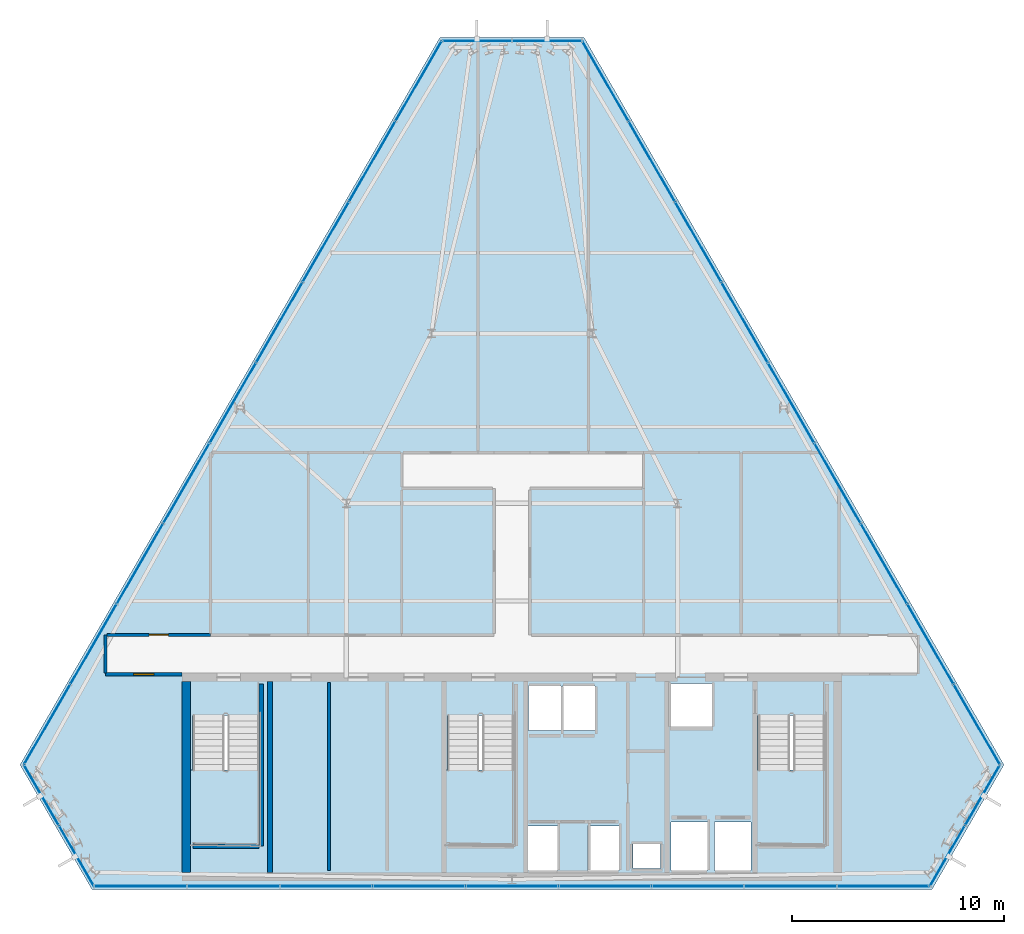
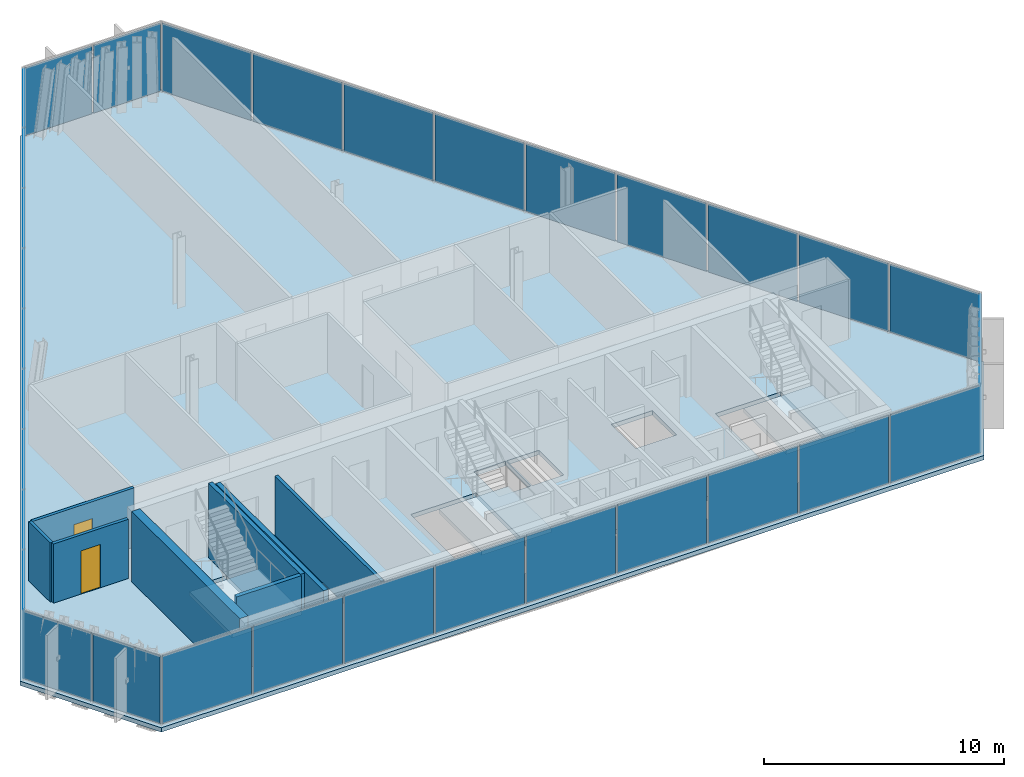
# One storey, part 23 of 29: 33 plates, 8 walls, 4 slabs, 2 doors, 2 openings, 9 elements without a shape of their own.
"""IFC4 building model written with IfcOpenShell, lengths in metres."""

from ifc_helpers import new_model, si_unit, direction, frame, frame_2d, origin, origin_2d, place, context, subcontext, project, spatial, polyline, rectangle, outline, extrude, material, layer, layer_set, type_object, element, fill, aggregate, save


model = new_model("IFC4")

# Units and contexts
model_context = context("Model", 3, precision=1e-05, world=origin(), true_north=direction((0.0, 1.0)))
body_context = subcontext(model_context, "Body", "Model", "MODEL_VIEW")
ifc_project = project(units=[si_unit("LENGTHUNIT", "METRE"), si_unit("AREAUNIT", "SQUARE_METRE"), si_unit("VOLUMEUNIT", "CUBIC_METRE"), si_unit("PLANEANGLEUNIT", "RADIAN"), si_unit("MASSUNIT", "GRAM", prefix="KILO")], contexts=[model_context])

# Site, building, storey
site_placement = place(None, origin())
site = spatial("IfcSite", under=ifc_project, at=site_placement, CompositionType="ELEMENT")
building_placement = place(site_placement, origin())
building = spatial("IfcBuilding", under=site, at=building_placement, Name="Ndaravel Arena Tower", CompositionType="ELEMENT")
storey_placement = place(building_placement, frame((0.0, 0.0, 248.39990234375)))
storey = spatial("IfcBuildingStorey", under=building, at=storey_placement, Name="L60", CompositionType="ELEMENT", Elevation=248.39990234375)

# Curtain wall, plate
ifc_material_1 = material(Name="Aluminium", Category="aluminium")
ifc_layer_1 = layer(ifc_material_1, 0.179931640625)
ifc_layer_set_1 = layer_set([ifc_layer_1], Name="Aluminium")
curtain_wall_type_1 = type_object("IfcCurtainWallType", Name="CW-SYS-01", PredefinedType="NOTDEFINED", material=ifc_layer_set_1)
curtain_wall_1_placement = place(storey_placement, origin())
curtain_wall_1 = element("IfcCurtainWall", 1, at=curtain_wall_1_placement, inside=storey, type_object=curtain_wall_type_1, Name="L60 Faceted Crystal Curtain Wall CW-L60-E02", PredefinedType="NOTDEFINED")
ifc_material_2 = material(Name="Glazing", Category="glass")
ifc_layer_2 = layer(ifc_material_2, 0.035888671875)
ifc_layer_set_2 = layer_set([ifc_layer_2], Name="Glazing")
plate_type_1 = type_object("IfcPlateType", Name="PLT-CW-OPVENT", PredefinedType="CURTAIN_PANEL", material=ifc_layer_set_2)
plate_1_placement = place(storey_placement, frame((64.169677734375, 9.451416015625, 0.06005859375), z_axis=(0.0, 0.0, 1.0), x_axis=(0.5, 0.866025403784, 0.0)))
plate_1 = element("IfcPlate", 2, at=plate_1_placement, type_object=plate_type_1, Name="CW-L60-E02 Operable Vent Sash Panel 02", PredefinedType="CURTAIN_PANEL", context=body_context, shape_type="SweptSolid", body=[
    extrude(rectangle(XDim=3.2236328125, YDim=0.035888671875, at=origin_2d()), origin(), (0.0, 0.0, 1.0), 3.4599609375),
])

curtain_wall_2_placement = place(storey_placement, origin())
curtain_wall_2 = element("IfcCurtainWall", 3, at=curtain_wall_2_placement, inside=storey, type_object=curtain_wall_type_1, Name="L60 Faceted Crystal Curtain Wall CW-L60-E04", PredefinedType="NOTDEFINED")
plate_2_placement = place(storey_placement, frame((40.34814453125, 44.989501953125, 0.06005859375), z_axis=(0.0, 0.0, 1.0), x_axis=(-1.0, 0.0, 0.0)))
plate_2 = element("IfcPlate", 4, at=plate_2_placement, type_object=plate_type_1, Name="CW-L60-E04 Operable Vent Sash Panel 02", PredefinedType="CURTAIN_PANEL", context=body_context, shape_type="SweptSolid", body=[
    extrude(rectangle(XDim=3.2236328125, YDim=0.035888671875, at=origin_2d()), origin(), (0.0, 0.0, 1.0), 3.4599609375),
])

ifc_material_3 = material(Name="Aluminium", Category="aluminium")
ifc_layer_3 = layer(ifc_material_3, 0.179931640625)
ifc_layer_set_3 = layer_set([ifc_layer_3], Name="Aluminium")
curtain_wall_type_2 = type_object("IfcCurtainWallType", Name="CW-SYS-02", PredefinedType="NOTDEFINED", material=ifc_layer_set_3)
curtain_wall_3_placement = place(storey_placement, origin())
curtain_wall_3 = element("IfcCurtainWall", 5, at=curtain_wall_3_placement, inside=storey, type_object=curtain_wall_type_2, Name="L60 Faceted Crystal Curtain Wall CW-L60-E06", PredefinedType="NOTDEFINED")
plate_3_placement = place(storey_placement, frame((21.482177734375, 6.590576171875, 0.06005859375), z_axis=(0.0, 0.0, 1.0), x_axis=(0.5, -0.866025403784, 0.0)))
plate_3 = element("IfcPlate", 6, at=plate_3_placement, type_object=plate_type_1, Name="CW-L60-E06 Operable Vent Sash Panel 02", PredefinedType="CURTAIN_PANEL", context=body_context, shape_type="SweptSolid", body=[
    extrude(rectangle(XDim=3.2236328125, YDim=0.035888671875, at=origin_2d()), origin(), (0.0, 0.0, 1.0), 3.4599609375),
])

# Plate
ifc_material_4 = material(Name="Glazing", Category="glass")
ifc_layer_4 = layer(ifc_material_4, 0.031982421875)
ifc_layer_set_4 = layer_set([ifc_layer_4], Name="Glazing")
plate_type_2 = type_object("IfcPlateType", Name="PLT-GLZ-FRIT35", PredefinedType="CURTAIN_PANEL", material=ifc_layer_set_4)
plate_4_placement = place(storey_placement, frame((62.517822265625, 6.590576171875, 0.06005859375), z_axis=(0.0, 0.0, 1.0), x_axis=(0.5, 0.866025403784, 0.0)))
plate_4 = element("IfcPlate", 7, at=plate_4_placement, type_object=plate_type_2, Name="CW-L60-E02 Vision Glass Panel 01", PredefinedType="CURTAIN_PANEL", context=body_context, shape_type="SweptSolid", body=[
    extrude(rectangle(XDim=3.2236328125, YDim=0.035888671875, at=origin_2d()), origin(), (0.0, 0.0, 1.0), 3.4599609375),
])

aggregate(curtain_wall_1, [plate_4, plate_1])

plate_5_placement = place(storey_placement, frame((43.65185546875, 44.989501953125, 0.06005859375), z_axis=(0.0, 0.0, 1.0), x_axis=(-1.0, 0.0, 0.0)))
plate_5 = element("IfcPlate", 8, at=plate_5_placement, type_object=plate_type_2, Name="CW-L60-E04 Vision Glass Panel 01", PredefinedType="CURTAIN_PANEL", context=body_context, shape_type="SweptSolid", body=[
    extrude(rectangle(XDim=3.2236328125, YDim=0.035888671875, at=origin_2d()), origin(), (0.0, 0.0, 1.0), 3.4599609375),
])

aggregate(curtain_wall_2, [plate_5, plate_2])

ifc_material_5 = material(Name="Glazing", Category="glass")
ifc_layer_5 = layer(ifc_material_5, 0.035888671875)
ifc_layer_set_5 = layer_set([ifc_layer_5], Name="Glazing")
plate_type_3 = type_object("IfcPlateType", Name="PLT-GLZ-FRIT55", PredefinedType="CURTAIN_PANEL", material=ifc_layer_set_5)
plate_6_placement = place(storey_placement, frame((19.830322265625, 9.451416015625, 0.06005859375), z_axis=(0.0, 0.0, 1.0), x_axis=(0.5, -0.866025403784, 0.0)))
plate_6 = element("IfcPlate", 9, at=plate_6_placement, type_object=plate_type_3, Name="CW-L60-E06 Vision Glass Panel 01", PredefinedType="CURTAIN_PANEL", context=body_context, shape_type="SweptSolid", body=[
    extrude(rectangle(XDim=3.2236328125, YDim=0.035888671875, at=origin_2d()), origin(), (0.0, 0.0, 1.0), 3.4599609375),
])

aggregate(curtain_wall_3, [plate_6, plate_3])

# Curtain wall, plates
ifc_material_6 = material(Name="Aluminium", Category="aluminium")
ifc_layer_6 = layer(ifc_material_6, 0.179931640625)
ifc_layer_set_6 = layer_set([ifc_layer_6], Name="Aluminium")
curtain_wall_type_3 = type_object("IfcCurtainWallType", Name="CW-SYS-03", PredefinedType="NOTDEFINED", material=ifc_layer_set_6)
curtain_wall_4_placement = place(storey_placement, origin())
curtain_wall_4 = element("IfcCurtainWall", 10, at=curtain_wall_4_placement, inside=storey, type_object=curtain_wall_type_3, Name="L60 Faceted Crystal Curtain Wall CW-L60-E01", PredefinedType="NOTDEFINED")
ifc_material_7 = material(Name="Glazing", Category="glass")
ifc_layer_7 = layer(ifc_material_7, 0.0400390625)
ifc_layer_set_7 = layer_set([ifc_layer_7], Name="Glazing")
plate_type_4 = type_object("IfcPlateType", Name="PLT-GLZ-LOWIRON", PredefinedType="CURTAIN_PANEL", material=ifc_layer_set_7)
plate_7_placement = place(storey_placement, frame((24.49609375, 5.159912109375, 0.06005859375), z_axis=(0.0, 0.0, 1.0), x_axis=(1.0, 0.0, 0.0)))
plate_7 = element("IfcPlate", 11, at=plate_7_placement, type_object=plate_type_4, Name="CW-L60-E01 Vision Glass Panel 01", PredefinedType="CURTAIN_PANEL", context=body_context, shape_type="SweptSolid", body=[
    extrude(rectangle(XDim=4.2958984375, YDim=0.035888671875, at=origin_2d()), origin(), (0.0, 0.0, 1.0), 3.4599609375),
])
plate_8_placement = place(storey_placement, frame((28.8720703125, 5.159912109375, 0.06005859375), z_axis=(0.0, 0.0, 1.0), x_axis=(1.0, 0.0, 0.0)))
plate_8 = element("IfcPlate", 12, at=plate_8_placement, type_object=plate_type_4, Name="CW-L60-E01 Vision Glass Panel 02", PredefinedType="CURTAIN_PANEL", context=body_context, shape_type="SweptSolid", body=[
    extrude(rectangle(XDim=4.2958984375, YDim=0.035888671875, at=origin_2d()), origin(), (0.0, 0.0, 1.0), 3.4599609375),
])
plate_9_placement = place(storey_placement, frame((33.248046875, 5.159912109375, 0.06005859375), z_axis=(0.0, 0.0, 1.0), x_axis=(1.0, 0.0, 0.0)))
plate_9 = element("IfcPlate", 13, at=plate_9_placement, type_object=plate_type_4, Name="CW-L60-E01 Vision Glass Panel 03", PredefinedType="CURTAIN_PANEL", context=body_context, shape_type="SweptSolid", body=[
    extrude(rectangle(XDim=4.2958984375, YDim=0.035888671875, at=origin_2d()), origin(), (0.0, 0.0, 1.0), 3.4599609375),
])
plate_10_placement = place(storey_placement, frame((37.6240234375, 5.159912109375, 0.06005859375), z_axis=(0.0, 0.0, 1.0), x_axis=(1.0, 0.0, 0.0)))
plate_10 = element("IfcPlate", 14, at=plate_10_placement, type_object=plate_type_4, Name="CW-L60-E01 Vision Glass Panel 04", PredefinedType="CURTAIN_PANEL", context=body_context, shape_type="SweptSolid", body=[
    extrude(rectangle(XDim=4.2958984375, YDim=0.035888671875, at=origin_2d()), origin(), (0.0, 0.0, 1.0), 3.4599609375),
])
plate_11_placement = place(storey_placement, frame((42.0, 5.159912109375, 0.06005859375), z_axis=(0.0, 0.0, 1.0), x_axis=(1.0, 0.0, 0.0)))
plate_11 = element("IfcPlate", 15, at=plate_11_placement, type_object=plate_type_4, Name="CW-L60-E01 Vision Glass Panel 05", PredefinedType="CURTAIN_PANEL", context=body_context, shape_type="SweptSolid", body=[
    extrude(rectangle(XDim=4.2958984375, YDim=0.035888671875, at=origin_2d()), origin(), (0.0, 0.0, 1.0), 3.4599609375),
])
plate_12_placement = place(storey_placement, frame((46.3759765625, 5.159912109375, 0.06005859375), z_axis=(0.0, 0.0, 1.0), x_axis=(1.0, 0.0, 0.0)))
plate_12 = element("IfcPlate", 16, at=plate_12_placement, type_object=plate_type_4, Name="CW-L60-E01 Vision Glass Panel 06", PredefinedType="CURTAIN_PANEL", context=body_context, shape_type="SweptSolid", body=[
    extrude(rectangle(XDim=4.2958984375, YDim=0.035888671875, at=origin_2d()), origin(), (0.0, 0.0, 1.0), 3.4599609375),
])
plate_13_placement = place(storey_placement, frame((50.751953125, 5.159912109375, 0.06005859375), z_axis=(0.0, 0.0, 1.0), x_axis=(1.0, 0.0, 0.0)))
plate_13 = element("IfcPlate", 17, at=plate_13_placement, type_object=plate_type_4, Name="CW-L60-E01 Vision Glass Panel 07", PredefinedType="CURTAIN_PANEL", context=body_context, shape_type="SweptSolid", body=[
    extrude(rectangle(XDim=4.2958984375, YDim=0.035888671875, at=origin_2d()), origin(), (0.0, 0.0, 1.0), 3.4599609375),
])
plate_14_placement = place(storey_placement, frame((55.1279296875, 5.159912109375, 0.06005859375), z_axis=(0.0, 0.0, 1.0), x_axis=(1.0, 0.0, 0.0)))
plate_14 = element("IfcPlate", 18, at=plate_14_placement, type_object=plate_type_4, Name="CW-L60-E01 Vision Glass Panel 08", PredefinedType="CURTAIN_PANEL", context=body_context, shape_type="SweptSolid", body=[
    extrude(rectangle(XDim=4.2958984375, YDim=0.035888671875, at=origin_2d()), origin(), (0.0, 0.0, 1.0), 3.4599609375),
])
plate_15_placement = place(storey_placement, frame((59.50390625, 5.159912109375, 0.06005859375), z_axis=(0.0, 0.0, 1.0), x_axis=(1.0, 0.0, 0.0)))
plate_15 = element("IfcPlate", 19, at=plate_15_placement, type_object=plate_type_4, Name="CW-L60-E01 Vision Glass Panel 09", PredefinedType="CURTAIN_PANEL", context=body_context, shape_type="SweptSolid", body=[
    extrude(rectangle(XDim=4.2958984375, YDim=0.035888671875, at=origin_2d()), origin(), (0.0, 0.0, 1.0), 3.4599609375),
])
aggregate(curtain_wall_4, [plate_7, plate_8, plate_9, plate_10, plate_11, plate_12, plate_13, plate_14, plate_15])

curtain_wall_5_placement = place(storey_placement, origin())
curtain_wall_5 = element("IfcCurtainWall", 20, at=curtain_wall_5_placement, inside=storey, type_object=curtain_wall_type_3, Name="L60 Faceted Crystal Curtain Wall CW-L60-E03", PredefinedType="NOTDEFINED")
plate_16_placement = place(storey_placement, frame((63.901611328125, 12.77685546875, 0.06005859375), z_axis=(0.0, 0.0, 1.0), x_axis=(-0.5, 0.866025403784, 0.0)))
plate_16 = element("IfcPlate", 21, at=plate_16_placement, type_object=plate_type_4, Name="CW-L60-E03 Vision Glass Panel 01", PredefinedType="CURTAIN_PANEL", context=body_context, shape_type="SweptSolid", body=[
    extrude(rectangle(XDim=4.2958984375, YDim=0.035888671875, at=origin_2d()), origin(), (0.0, 0.0, 1.0), 3.4599609375),
])
plate_17_placement = place(storey_placement, frame((61.713623046875, 16.566650390625, 0.06005859375), z_axis=(0.0, 0.0, 1.0), x_axis=(-0.5, 0.866025403784, 0.0)))
plate_17 = element("IfcPlate", 22, at=plate_17_placement, type_object=plate_type_4, Name="CW-L60-E03 Vision Glass Panel 02", PredefinedType="CURTAIN_PANEL", context=body_context, shape_type="SweptSolid", body=[
    extrude(rectangle(XDim=4.2958984375, YDim=0.035888671875, at=origin_2d()), origin(), (0.0, 0.0, 1.0), 3.4599609375),
])
plate_18_placement = place(storey_placement, frame((59.525634765625, 20.356201171875, 0.06005859375), z_axis=(0.0, 0.0, 1.0), x_axis=(-0.5, 0.866025403784, 0.0)))
plate_18 = element("IfcPlate", 23, at=plate_18_placement, type_object=plate_type_4, Name="CW-L60-E03 Vision Glass Panel 03", PredefinedType="CURTAIN_PANEL", context=body_context, shape_type="SweptSolid", body=[
    extrude(rectangle(XDim=4.2958984375, YDim=0.035888671875, at=origin_2d()), origin(), (0.0, 0.0, 1.0), 3.4599609375),
])
plate_19_placement = place(storey_placement, frame((57.337646484375, 24.14599609375, 0.06005859375), z_axis=(0.0, 0.0, 1.0), x_axis=(-0.5, 0.866025403784, 0.0)))
plate_19 = element("IfcPlate", 24, at=plate_19_placement, type_object=plate_type_4, Name="CW-L60-E03 Vision Glass Panel 04", PredefinedType="CURTAIN_PANEL", context=body_context, shape_type="SweptSolid", body=[
    extrude(rectangle(XDim=4.2958984375, YDim=0.035888671875, at=origin_2d()), origin(), (0.0, 0.0, 1.0), 3.4599609375),
])
plate_20_placement = place(storey_placement, frame((55.149658203125, 27.935791015625, 0.06005859375), z_axis=(0.0, 0.0, 1.0), x_axis=(-0.5, 0.866025403784, 0.0)))
plate_20 = element("IfcPlate", 25, at=plate_20_placement, type_object=plate_type_4, Name="CW-L60-E03 Vision Glass Panel 05", PredefinedType="CURTAIN_PANEL", context=body_context, shape_type="SweptSolid", body=[
    extrude(rectangle(XDim=4.2958984375, YDim=0.035888671875, at=origin_2d()), origin(), (0.0, 0.0, 1.0), 3.4599609375),
])
plate_21_placement = place(storey_placement, frame((52.961669921875, 31.7255859375, 0.06005859375), z_axis=(0.0, 0.0, 1.0), x_axis=(-0.5, 0.866025403784, 0.0)))
plate_21 = element("IfcPlate", 26, at=plate_21_placement, type_object=plate_type_4, Name="CW-L60-E03 Vision Glass Panel 06", PredefinedType="CURTAIN_PANEL", context=body_context, shape_type="SweptSolid", body=[
    extrude(rectangle(XDim=4.2958984375, YDim=0.035888671875, at=origin_2d()), origin(), (0.0, 0.0, 1.0), 3.4599609375),
])
plate_22_placement = place(storey_placement, frame((50.773681640625, 35.515380859375, 0.06005859375), z_axis=(0.0, 0.0, 1.0), x_axis=(-0.5, 0.866025403784, 0.0)))
plate_22 = element("IfcPlate", 27, at=plate_22_placement, type_object=plate_type_4, Name="CW-L60-E03 Vision Glass Panel 07", PredefinedType="CURTAIN_PANEL", context=body_context, shape_type="SweptSolid", body=[
    extrude(rectangle(XDim=4.2958984375, YDim=0.035888671875, at=origin_2d()), origin(), (0.0, 0.0, 1.0), 3.4599609375),
])
plate_23_placement = place(storey_placement, frame((48.585693359375, 39.304931640625, 0.06005859375), z_axis=(0.0, 0.0, 1.0), x_axis=(-0.5, 0.866025403784, 0.0)))
plate_23 = element("IfcPlate", 28, at=plate_23_placement, type_object=plate_type_4, Name="CW-L60-E03 Vision Glass Panel 08", PredefinedType="CURTAIN_PANEL", context=body_context, shape_type="SweptSolid", body=[
    extrude(rectangle(XDim=4.2958984375, YDim=0.035888671875, at=origin_2d()), origin(), (0.0, 0.0, 1.0), 3.4599609375),
])
plate_24_placement = place(storey_placement, frame((46.397705078125, 43.0947265625, 0.06005859375), z_axis=(0.0, 0.0, 1.0), x_axis=(-0.5, 0.866025403784, 0.0)))
plate_24 = element("IfcPlate", 29, at=plate_24_placement, type_object=plate_type_4, Name="CW-L60-E03 Vision Glass Panel 09", PredefinedType="CURTAIN_PANEL", context=body_context, shape_type="SweptSolid", body=[
    extrude(rectangle(XDim=4.2958984375, YDim=0.035888671875, at=origin_2d()), origin(), (0.0, 0.0, 1.0), 3.4599609375),
])
aggregate(curtain_wall_5, [plate_16, plate_17, plate_18, plate_19, plate_20, plate_21, plate_22, plate_23, plate_24])

curtain_wall_6_placement = place(storey_placement, origin())
curtain_wall_6 = element("IfcCurtainWall", 30, at=curtain_wall_6_placement, inside=storey, type_object=curtain_wall_type_3, Name="L60 Faceted Crystal Curtain Wall CW-L60-E05", PredefinedType="NOTDEFINED")
plate_25_placement = place(storey_placement, frame((37.602294921875, 43.0947265625, 0.06005859375), z_axis=(0.0, 0.0, 1.0), x_axis=(-0.5, -0.866025403784, 0.0)))
plate_25 = element("IfcPlate", 31, at=plate_25_placement, type_object=plate_type_4, Name="CW-L60-E05 Vision Glass Panel 01", PredefinedType="CURTAIN_PANEL", context=body_context, shape_type="SweptSolid", body=[
    extrude(rectangle(XDim=4.2958984375, YDim=0.035888671875, at=origin_2d()), origin(), (0.0, 0.0, 1.0), 3.4599609375),
])
plate_26_placement = place(storey_placement, frame((35.414306640625, 39.304931640625, 0.06005859375), z_axis=(0.0, 0.0, 1.0), x_axis=(-0.5, -0.866025403784, 0.0)))
plate_26 = element("IfcPlate", 32, at=plate_26_placement, type_object=plate_type_4, Name="CW-L60-E05 Vision Glass Panel 02", PredefinedType="CURTAIN_PANEL", context=body_context, shape_type="SweptSolid", body=[
    extrude(rectangle(XDim=4.2958984375, YDim=0.035888671875, at=origin_2d()), origin(), (0.0, 0.0, 1.0), 3.4599609375),
])
plate_27_placement = place(storey_placement, frame((33.226318359375, 35.515380859375, 0.06005859375), z_axis=(0.0, 0.0, 1.0), x_axis=(-0.5, -0.866025403784, 0.0)))
plate_27 = element("IfcPlate", 33, at=plate_27_placement, type_object=plate_type_4, Name="CW-L60-E05 Vision Glass Panel 03", PredefinedType="CURTAIN_PANEL", context=body_context, shape_type="SweptSolid", body=[
    extrude(rectangle(XDim=4.2958984375, YDim=0.035888671875, at=origin_2d()), origin(), (0.0, 0.0, 1.0), 3.4599609375),
])
plate_28_placement = place(storey_placement, frame((31.038330078125, 31.7255859375, 0.06005859375), z_axis=(0.0, 0.0, 1.0), x_axis=(-0.5, -0.866025403784, 0.0)))
plate_28 = element("IfcPlate", 34, at=plate_28_placement, type_object=plate_type_4, Name="CW-L60-E05 Vision Glass Panel 04", PredefinedType="CURTAIN_PANEL", context=body_context, shape_type="SweptSolid", body=[
    extrude(rectangle(XDim=4.2958984375, YDim=0.035888671875, at=origin_2d()), origin(), (0.0, 0.0, 1.0), 3.4599609375),
])
plate_29_placement = place(storey_placement, frame((28.850341796875, 27.935791015625, 0.06005859375), z_axis=(0.0, 0.0, 1.0), x_axis=(-0.5, -0.866025403784, 0.0)))
plate_29 = element("IfcPlate", 35, at=plate_29_placement, type_object=plate_type_4, Name="CW-L60-E05 Vision Glass Panel 05", PredefinedType="CURTAIN_PANEL", context=body_context, shape_type="SweptSolid", body=[
    extrude(rectangle(XDim=4.2958984375, YDim=0.035888671875, at=origin_2d()), origin(), (0.0, 0.0, 1.0), 3.4599609375),
])
plate_30_placement = place(storey_placement, frame((26.662353515625, 24.14599609375, 0.06005859375), z_axis=(0.0, 0.0, 1.0), x_axis=(-0.5, -0.866025403784, 0.0)))
plate_30 = element("IfcPlate", 36, at=plate_30_placement, type_object=plate_type_4, Name="CW-L60-E05 Vision Glass Panel 06", PredefinedType="CURTAIN_PANEL", context=body_context, shape_type="SweptSolid", body=[
    extrude(rectangle(XDim=4.2958984375, YDim=0.035888671875, at=origin_2d()), origin(), (0.0, 0.0, 1.0), 3.4599609375),
])
plate_31_placement = place(storey_placement, frame((24.474365234375, 20.356201171875, 0.06005859375), z_axis=(0.0, 0.0, 1.0), x_axis=(-0.5, -0.866025403784, 0.0)))
plate_31 = element("IfcPlate", 37, at=plate_31_placement, type_object=plate_type_4, Name="CW-L60-E05 Vision Glass Panel 07", PredefinedType="CURTAIN_PANEL", context=body_context, shape_type="SweptSolid", body=[
    extrude(rectangle(XDim=4.2958984375, YDim=0.035888671875, at=origin_2d()), origin(), (0.0, 0.0, 1.0), 3.4599609375),
])
plate_32_placement = place(storey_placement, frame((22.286376953125, 16.566650390625, 0.06005859375), z_axis=(0.0, 0.0, 1.0), x_axis=(-0.5, -0.866025403784, 0.0)))
plate_32 = element("IfcPlate", 38, at=plate_32_placement, type_object=plate_type_4, Name="CW-L60-E05 Vision Glass Panel 08", PredefinedType="CURTAIN_PANEL", context=body_context, shape_type="SweptSolid", body=[
    extrude(rectangle(XDim=4.2958984375, YDim=0.035888671875, at=origin_2d()), origin(), (0.0, 0.0, 1.0), 3.4599609375),
])
plate_33_placement = place(storey_placement, frame((20.098388671875, 12.77685546875, 0.06005859375), z_axis=(0.0, 0.0, 1.0), x_axis=(-0.5, -0.866025403784, 0.0)))
plate_33 = element("IfcPlate", 39, at=plate_33_placement, type_object=plate_type_4, Name="CW-L60-E05 Vision Glass Panel 09", PredefinedType="CURTAIN_PANEL", context=body_context, shape_type="SweptSolid", body=[
    extrude(rectangle(XDim=4.2958984375, YDim=0.035888671875, at=origin_2d()), origin(), (0.0, 0.0, 1.0), 3.4599609375),
])
aggregate(curtain_wall_6, [plate_25, plate_26, plate_27, plate_28, plate_29, plate_30, plate_31, plate_32, plate_33])

# Stair, slab
ifc_material_8 = material(Name="Concrete C40/50", Category="concrete")
stair_type = type_object("IfcStairType", Name="STAIR-CORE-HT", PredefinedType="HALF_TURN_STAIR", material=ifc_material_8)
stair_1_placement = place(storey_placement, origin())
stair_1 = element("IfcStair", 40, at=stair_1_placement, inside=storey, type_object=stair_type, Name="L60 ST-1", PredefinedType="HALF_TURN_STAIR")
ifc_material_9 = material(Name="Concrete C40/50", Category="concrete")
ifc_layer_8 = layer(ifc_material_9, 0.199951171875)
ifc_layer_set_8 = layer_set([ifc_layer_8], Name="Concrete C40/50")
slab_type_1 = type_object("IfcSlabType", Name="SLAB-STAIR-LANDING", PredefinedType="LANDING", material=ifc_layer_set_8)
slab_1_placement = place(storey_placement, frame((0.0, 0.0, 1.7001953125)))
slab_1 = element("IfcSlab", 41, at=slab_1_placement, type_object=slab_type_1, Name="ST-1 landing 1", PredefinedType="LANDING", context=body_context, shape_type="SweptSolid", body=[
    extrude(outline(polyline([(26.81005859375, 10.6298828125), (26.81005859375, 7.070068359375), (30.169921875, 7.070068359375), (30.169921875, 10.6298828125), (26.81005859375, 10.6298828125)])), origin(), (0.0, 0.0, 1.0), 0.199951171875),
])
aggregate(stair_1, [slab_1])

stair_2_placement = place(storey_placement, origin())
stair_2 = element("IfcStair", 42, at=stair_2_placement, inside=storey, type_object=stair_type, Name="L60 ST-2", PredefinedType="HALF_TURN_STAIR")
slab_2_placement = place(storey_placement, frame((0.0, 0.0, 1.7001953125)))
slab_2 = element("IfcSlab", 43, at=slab_2_placement, type_object=slab_type_1, Name="ST-2 landing 1", PredefinedType="LANDING", context=body_context, shape_type="SweptSolid", body=[
    extrude(outline(polyline([(38.81005859375, 10.6298828125), (38.81005859375, 7.070068359375), (42.169921875, 7.070068359375), (42.169921875, 10.6298828125), (38.81005859375, 10.6298828125)])), origin(), (0.0, 0.0, 1.0), 0.199951171875),
])
aggregate(stair_2, [slab_2])

stair_3_placement = place(storey_placement, origin())
stair_3 = element("IfcStair", 44, at=stair_3_placement, inside=storey, type_object=stair_type, Name="L60 ST-3", PredefinedType="HALF_TURN_STAIR")
slab_3_placement = place(storey_placement, frame((0.0, 0.0, 1.7001953125)))
slab_3 = element("IfcSlab", 45, at=slab_3_placement, type_object=slab_type_1, Name="ST-3 landing 1", PredefinedType="LANDING", context=body_context, shape_type="SweptSolid", body=[
    extrude(outline(polyline([(53.4599609375, 10.6298828125), (53.4599609375, 7.070068359375), (56.820068359375, 7.070068359375), (56.820068359375, 10.6298828125), (53.4599609375, 10.6298828125)])), origin(), (0.0, 0.0, 1.0), 0.199951171875),
])
aggregate(stair_3, [slab_3])

# Slab
ifc_material_10 = material(Name="Concrete C40/50", Category="concrete")
ifc_layer_9 = layer(ifc_material_10, 0.219970703125)
ifc_layer_set_9 = layer_set([ifc_layer_9], Name="Concrete C40/50")
slab_type_2 = type_object("IfcSlabType", Name="SLAB-TWR-220", PredefinedType="FLOOR", material=ifc_layer_set_9)
slab_4_placement = place(storey_placement, frame((0.0, 0.0, -0.219970703125)))
element("IfcSlab", 46, at=slab_4_placement, inside=storey, type_object=slab_type_2, Name="L60 Structural Floor Slab", PredefinedType="FLOOR", context=body_context, shape_type="SweptSolid", body=[
    extrude(outline(polyline([(18.819580078125, 10.882080078125), (22.215576171875, 5.0), (61.784423828125, 5.0), (65.180419921875, 10.882080078125), (45.39599609375, 45.149658203125), (38.60400390625, 45.149658203125), (18.819580078125, 10.882080078125)]), holes=[polyline([(26.949951171875, 13.215087890625), (26.949951171875, 7.14990234375), (30.090087890625, 7.14990234375), (30.090087890625, 13.215087890625), (26.949951171875, 13.215087890625)]), polyline([(38.949951171875, 13.215087890625), (38.949951171875, 7.14990234375), (42.090087890625, 7.14990234375), (42.090087890625, 13.215087890625), (38.949951171875, 13.215087890625)]), polyline([(53.60009765625, 13.215087890625), (53.60009765625, 7.14990234375), (56.739990234375, 7.14990234375), (56.739990234375, 13.215087890625), (53.60009765625, 13.215087890625)]), polyline([(42.659912109375, 5.909912109375), (44.139892578125, 5.909912109375), (44.139892578125, 7.989990234375), (42.659912109375, 7.989990234375), (42.659912109375, 5.909912109375)]), polyline([(45.56005859375, 5.909912109375), (47.0400390625, 5.909912109375), (47.0400390625, 7.989990234375), (45.56005859375, 7.989990234375), (45.56005859375, 5.909912109375)]), polyline([(42.784912109375, 12.510009765625), (44.31494140625, 12.510009765625), (44.31494140625, 14.590087890625), (42.784912109375, 14.590087890625), (42.784912109375, 12.510009765625)]), polyline([(44.385009765625, 12.510009765625), (45.9150390625, 12.510009765625), (45.9150390625, 14.590087890625), (44.385009765625, 14.590087890625), (44.385009765625, 12.510009765625)]), polyline([(49.485107421875, 5.909912109375), (51.215087890625, 5.909912109375), (51.215087890625, 8.18994140625), (49.485107421875, 8.18994140625), (49.485107421875, 5.909912109375)]), polyline([(51.534912109375, 5.909912109375), (53.264892578125, 5.909912109375), (53.264892578125, 8.18994140625), (51.534912109375, 8.18994140625), (51.534912109375, 5.909912109375)]), polyline([(49.4599609375, 12.68505859375), (51.43994140625, 12.68505859375), (51.43994140625, 14.715087890625), (49.4599609375, 14.715087890625), (49.4599609375, 12.68505859375)]), polyline([(47.699951171875, 6.0), (49.0, 6.0), (49.0, 7.139892578125), (47.699951171875, 7.139892578125), (47.699951171875, 6.0)])]), origin(), (0.0, 0.0, 1.0), 0.219970703125),
])

# Walls
ifc_material_11 = material(Name="Gypsum", Category="gypsum")
ifc_layer_10 = layer(ifc_material_11, 0.14990234375)
ifc_layer_set_10 = layer_set([ifc_layer_10], Name="Gypsum")
wall_type_1 = type_object("IfcWallType", Name="WALL-COMP-150", PredefinedType="PARTITIONING", material=ifc_layer_set_10)
wall_1_placement = place(storey_placement, frame((33.3798828125, 5.89990234375, 0.0), z_axis=(0.0, 0.0, 1.0), x_axis=(0.0, 1.0, 0.0)))
element("IfcWall", 47, at=wall_1_placement, inside=storey, type_object=wall_type_1, Name="L60 High-Zone Core Divider 1", PredefinedType="PARTITIONING", context=body_context, shape_type="SweptSolid", body=[
    extrude(rectangle(XDim=8.85009765625, YDim=0.14990234375, at=frame_2d((4.425048828125, 0.0))), origin(), (0.0, 0.0, 1.0), 3.010498046875),
])
ifc_material_12 = material(Name="Concrete C50/60", Category="concrete")
ifc_layer_11 = layer(ifc_material_12, 0.219970703125)
ifc_layer_set_11 = layer_set([ifc_layer_11], Name="Concrete C50/60")
wall_type_2 = type_object("IfcWallType", Name="WALL-CORE-220", PredefinedType="SOLIDWALL", material=ifc_layer_set_11)
wall_2_placement = place(storey_placement, frame((30.60009765625, 5.800048828125, 0.0), z_axis=(0.0, 0.0, 1.0), x_axis=(0.0, 1.0, 0.0)))
element("IfcWall", 48, at=wall_2_placement, inside=storey, type_object=wall_type_2, Name="L60 Core Web Shear Wall 1", PredefinedType="SOLIDWALL", context=body_context, shape_type="SweptSolid", body=[
    extrude(rectangle(XDim=9.0, YDim=0.219970703125, at=frame_2d((4.5, 0.0))), origin(), (0.0, 0.0, 1.0), 3.580078125),
])
ifc_material_13 = material(Name="Concrete C50/60", Category="concrete")
ifc_layer_12 = layer(ifc_material_13, 0.39990234375)
ifc_layer_set_12 = layer_set([ifc_layer_12], Name="Concrete C50/60")
wall_type_3 = type_object("IfcWallType", Name="WALL-CORE-400", PredefinedType="SOLIDWALL", material=ifc_layer_set_12)
wall_3_placement = place(storey_placement, frame((26.64990234375, 5.800048828125, 0.0), z_axis=(0.0, 0.0, 1.0), x_axis=(0.0, 1.0, 0.0)))
element("IfcWall", 49, at=wall_3_placement, inside=storey, type_object=wall_type_3, Name="L60 Core West Shear Wall", PredefinedType="SOLIDWALL", context=body_context, shape_type="SweptSolid", body=[
    extrude(rectangle(XDim=9.0, YDim=0.39990234375, at=frame_2d((4.5, 0.0))), origin(), (0.0, 0.0, 1.0), 3.580078125),
])
ifc_material_14 = material(Name="Concrete C40/50", Category="concrete")
ifc_layer_13 = layer(ifc_material_14, 0.199951171875)
ifc_layer_set_13 = layer_set([ifc_layer_13], Name="Concrete C40/50")
wall_type_4 = type_object("IfcWallType", Name="WALL-SHAFT-200", PredefinedType="SOLIDWALL", material=ifc_layer_set_13)
wall_4_placement = place(storey_placement, frame((30.18994140625, 14.699951171875, 0.0), z_axis=(0.0, 0.0, 1.0), x_axis=(0.0, -1.0, 0.0)))
element("IfcWall", 50, at=wall_4_placement, inside=storey, type_object=wall_type_4, Name="L60 ST-1 Structural Shaft Wall Right", PredefinedType="SOLIDWALL", context=body_context, shape_type="SweptSolid", body=[
    extrude(rectangle(XDim=7.64990234375, YDim=0.199951171875, at=frame_2d((3.824951171875, 0.0))), origin(), (0.0, 0.0, 1.0), 3.800048828125),
])
wall_5_placement = place(storey_placement, frame((26.969970703125, 7.050048828125, 0.0), z_axis=(0.0, 0.0, 1.0), x_axis=(1.0, 0.0, 0.0)))
element("IfcWall", 51, at=wall_5_placement, inside=storey, type_object=wall_type_4, Name="L60 ST-1 Structural Shaft Wall Far", PredefinedType="SOLIDWALL", context=body_context, shape_type="SweptSolid", body=[
    extrude(rectangle(XDim=3.114990234375, YDim=0.199951171875, at=frame_2d((1.5576171875, 0.0))), origin(), (0.0, 0.0, 1.0), 3.800048828125),
])

# Wall, opening, door
ifc_material_15 = material(Name="Masonry", Category="masonry")
ifc_layer_14 = layer(ifc_material_15, 0.14990234375)
ifc_layer_set_14 = layer_set([ifc_layer_14], Name="Masonry")
wall_type_5 = type_object("IfcWallType", Name="WALL-WET-150", PredefinedType="PARTITIONING", material=ifc_layer_set_14)
wall_6_placement = place(storey_placement, frame((26.449951171875, 15.14990234375, 0.0), z_axis=(0.0, 0.0, 1.0), x_axis=(-1.0, 0.0, 0.0)))
wall_6 = element("IfcWall", 52, at=wall_6_placement, inside=storey, type_object=wall_type_5, Name="L60 Interior Partition 003", PredefinedType="PARTITIONING", context=body_context, shape_type="SweptSolid", body=[
    extrude(rectangle(XDim=3.60400390625, YDim=0.14990234375, at=frame_2d((1.802001953125, 0.0))), origin(), (0.0, 0.0, 1.0), 3.010498046875),
])
opening_1_placement = place(wall_6_placement, frame((1.326904296875, 0.0, 0.0)))
opening_1 = element("IfcOpeningElement", 53, at=opening_1_placement, cuts=wall_6, Name="Opening FD-03", PredefinedType="OPENING", context=body_context, shape_type="SweptSolid", body=[
    extrude(rectangle(XDim=0.949951171875, YDim=2.199951171875, at=frame_2d((0.47509765625, 1.10009765625))), frame((0.0, 0.074951171875, 0.0), z_axis=(0.0, -1.0, 0.0), x_axis=(1.0, 0.0, 0.0)), (0.0, 0.0, 1.0), 0.14990234375),
])
ifc_material_16 = material(Name="Steel S355", Category="steel")
door_type_1 = type_object("IfcDoorType", Name="DT-11-CORE-950", OperationType="SINGLE_SWING_LEFT", PredefinedType="DOOR", material=ifc_material_16)
door_1_placement = place(opening_1_placement, origin())
door_1 = element("IfcDoor", 54, at=door_1_placement, inside=storey, type_object=door_type_1, Name="L60 Staff Espresso Kitchen Door", OperationType="SINGLE_SWING_LEFT", OverallHeight=2.199951171875, OverallWidth=0.949951171875, PredefinedType="DOOR", context=body_context, shape_type="SweptSolid", body=[
    extrude(rectangle(XDim=0.949951171875, YDim=2.199951171875, at=frame_2d((0.47509765625, 1.10009765625))), frame((0.0, 0.02490234375, 0.0), z_axis=(0.0, -1.0, 0.0), x_axis=(1.0, 0.0, 0.0)), (0.0, 0.0, 1.0), 0.050048828125),
])
fill(opening_1, door_1)

# Wall
wall_7_placement = place(storey_placement, frame((22.845947265625, 15.215087890625, 0.0), z_axis=(0.0, 0.0, 1.0), x_axis=(0.0, 1.0, 0.0)))
element("IfcWall", 55, at=wall_7_placement, inside=storey, type_object=wall_type_5, Name="L60 Interior Partition 004", PredefinedType="PARTITIONING", context=body_context, shape_type="SweptSolid", body=[
    extrude(rectangle(XDim=1.784912109375, YDim=0.14990234375, at=frame_2d((0.892578125, 0.0))), origin(), (0.0, 0.0, 1.0), 3.010498046875),
])

# Wall, opening, door
wall_8_placement = place(storey_placement, frame((22.910888671875, 17.0, 0.0), z_axis=(0.0, 0.0, 1.0), x_axis=(1.0, 0.0, 0.0)))
wall_8 = element("IfcWall", 56, at=wall_8_placement, inside=storey, type_object=wall_type_5, Name="L60 Interior Partition 005", PredefinedType="PARTITIONING", context=body_context, shape_type="SweptSolid", body=[
    extrude(rectangle(XDim=4.88916015625, YDim=0.14990234375, at=frame_2d((2.444580078125, 0.0))), origin(), (0.0, 0.0, 1.0), 3.010498046875),
])
opening_2_placement = place(wall_8_placement, frame((1.994384765625, 0.0, 0.0)))
opening_2 = element("IfcOpeningElement", 57, at=opening_2_placement, cuts=wall_8, Name="Opening WD-01", PredefinedType="OPENING", context=body_context, shape_type="SweptSolid", body=[
    extrude(rectangle(XDim=0.89990234375, YDim=2.14990234375, at=frame_2d((0.449951171875, 1.074951171875))), frame((0.0, 0.074951171875, 0.0), z_axis=(0.0, -1.0, 0.0), x_axis=(1.0, 0.0, 0.0)), (0.0, 0.0, 1.0), 0.14990234375),
])
ifc_material_17 = material(Name="Timber", Category="wood")
door_type_2 = type_object("IfcDoorType", Name="DT-05-WC-900", OperationType="SINGLE_SWING_LEFT", PredefinedType="DOOR", material=ifc_material_17)
door_2_placement = place(opening_2_placement, origin())
door_2 = element("IfcDoor", 58, at=door_2_placement, inside=storey, type_object=door_type_2, Name="L60 Female & Accessible Restroom Door", OperationType="SINGLE_SWING_RIGHT", OverallHeight=2.14990234375, OverallWidth=0.89990234375, PredefinedType="DOOR", context=body_context, shape_type="SweptSolid", body=[
    extrude(rectangle(XDim=0.89990234375, YDim=2.14990234375, at=frame_2d((0.449951171875, 1.074951171875))), frame((0.0, 0.02490234375, 0.0), z_axis=(0.0, -1.0, 0.0), x_axis=(1.0, 0.0, 0.0)), (0.0, 0.0, 1.0), 0.050048828125),
])
fill(opening_2, door_2)

save(model, "model.ifc")
